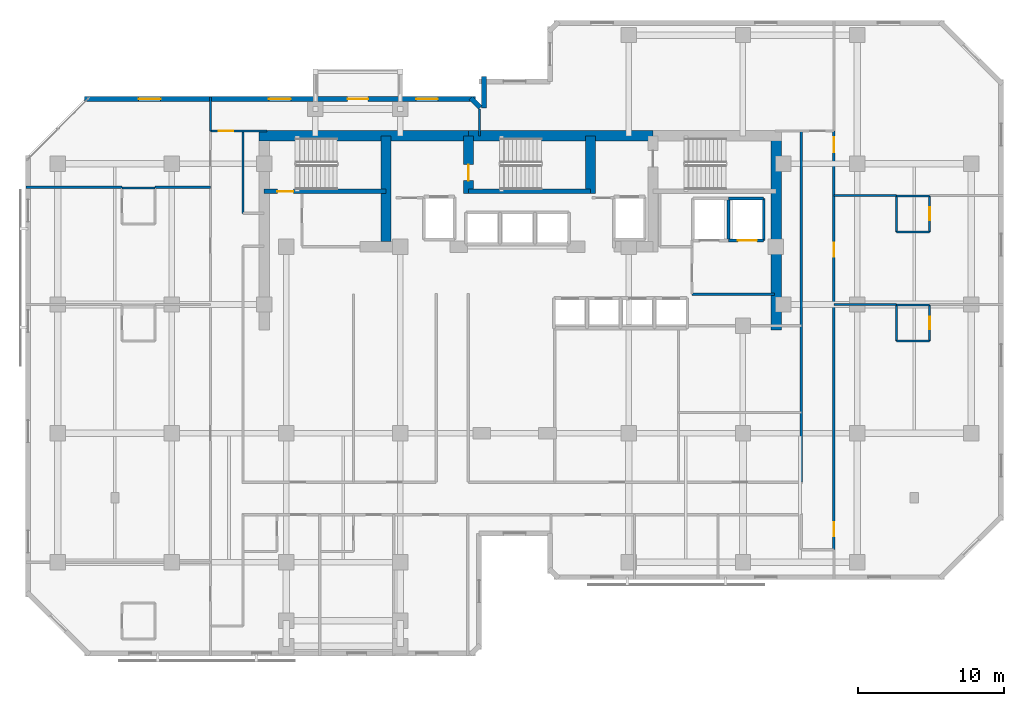
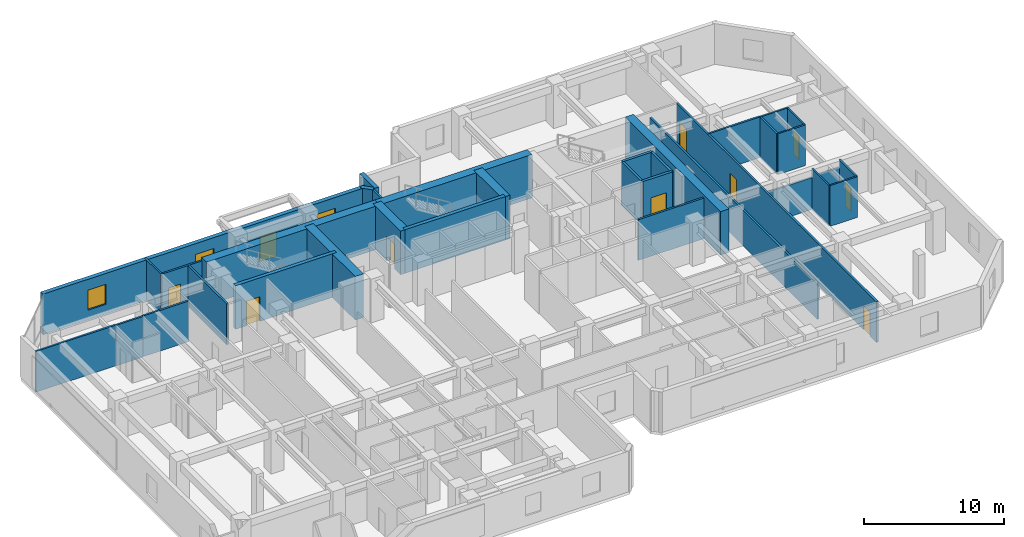
# One storey, part 7 of 10: 35 walls, 10 doors, 3 windows, 13 openings.
"""IFC4 building model written with IfcOpenShell, lengths in metres."""

from ifc_helpers import new_model, si_unit, direction, frame, frame_2d, origin, place, context, subcontext, project, spatial, rectangle, extrude, material, layer, layer_set, type_object, element, fill, save


model = new_model("IFC4")

# Units and contexts
model_context = context("Model", 3, precision=1e-05, world=origin(), true_north=direction((0.0, 1.0)))
body_context = subcontext(model_context, "Body", "Model", "MODEL_VIEW")
ifc_project = project(units=[si_unit("LENGTHUNIT", "METRE"), si_unit("AREAUNIT", "SQUARE_METRE"), si_unit("VOLUMEUNIT", "CUBIC_METRE"), si_unit("PLANEANGLEUNIT", "RADIAN"), si_unit("MASSUNIT", "GRAM", prefix="KILO")], contexts=[model_context])

# Site, building, storey
site_placement = place(None, origin())
site = spatial("IfcSite", under=ifc_project, at=site_placement, CompositionType="ELEMENT")
building_placement = place(site_placement, origin())
building = spatial("IfcBuilding", under=site, at=building_placement, Name="Kestravale Grand Hotel", CompositionType="ELEMENT")
storey_placement = place(building_placement, frame((0.0, 0.0, 142.199951171875)))
storey = spatial("IfcBuildingStorey", under=building, at=storey_placement, Name="L35", CompositionType="ELEMENT", Elevation=142.199951171875)

# Walls
ifc_material_1 = material(Name="Concrete f'c 60 MPa", Category="concrete")
ifc_layer_1 = layer(ifc_material_1, 0.699951171875)
ifc_layer_set_1 = layer_set([ifc_layer_1], Name="EW-CORE-700")
wall_type_1 = type_object("IfcWallType", Name="EW-CORE-700", PredefinedType="SHEAR", material=ifc_layer_set_1)
wall_1_placement = place(storey_placement, frame((21.550048828125, 40.320068359375, 0.0), z_axis=(0.0, 0.0, 1.0), x_axis=(1.0, 0.0, 0.0)))
element("IfcWall", 1, at=wall_1_placement, inside=storey, type_object=wall_type_1, Name="L35 core shear wall N1", PredefinedType="SHEAR", context=body_context, shape_type="SweptSolid", body=[
    extrude(rectangle(XDim=14.300048828125, YDim=0.699951171875, at=frame_2d((7.14990234375, 0.0))), origin(), (0.0, 0.0, 1.0), 3.800048828125),
])
wall_2_placement = place(storey_placement, frame((35.85009765625, 40.320068359375, 0.0), z_axis=(0.0, 0.0, 1.0), x_axis=(1.0, 0.0, 0.0)))
element("IfcWall", 2, at=wall_2_placement, inside=storey, type_object=wall_type_1, Name="L35 core shear wall N2", PredefinedType="SHEAR", context=body_context, shape_type="SweptSolid", body=[
    extrude(rectangle(XDim=12.599853515625, YDim=0.699951171875, at=frame_2d((6.2998046875, 0.0))), origin(), (0.0, 0.0, 1.0), 3.800048828125),
])
wall_3_placement = place(storey_placement, frame((56.8701171875, 27.050048828125, 0.0), z_axis=(0.0, 0.0, 1.0), x_axis=(0.0, 1.0, 0.0)))
element("IfcWall", 3, at=wall_3_placement, inside=storey, type_object=wall_type_1, Name="L35 core shear wall E1", PredefinedType="SHEAR", context=body_context, shape_type="SweptSolid", body=[
    extrude(rectangle(XDim=13.619873046875, YDim=0.699951171875, at=frame_2d((6.81005859375, 0.0))), origin(), (0.0, 0.0, 1.0), 3.800048828125),
])
wall_4_placement = place(storey_placement, frame((30.219970703125, 33.10009765625, 0.0), z_axis=(0.0, 0.0, 1.0), x_axis=(0.0, 1.0, 0.0)))
element("IfcWall", 4, at=wall_4_placement, inside=storey, type_object=wall_type_1, Name="L35 core shear wall X1", PredefinedType="SHEAR", context=body_context, shape_type="SweptSolid", body=[
    extrude(rectangle(XDim=7.219970703125, YDim=0.699951171875, at=frame_2d((3.60986328125, 0.0))), origin(), (0.0, 0.0, 1.0), 3.800048828125),
])

# Wall, opening, door
wall_5_placement = place(storey_placement, frame((35.85009765625, 36.3701171875, 0.0), z_axis=(0.0, 0.0, 1.0), x_axis=(0.0, 1.0, 0.0)))
wall_5 = element("IfcWall", 5, at=wall_5_placement, inside=storey, type_object=wall_type_1, Name="L35 core shear wall X2", PredefinedType="SHEAR", context=body_context, shape_type="SweptSolid", body=[
    extrude(rectangle(XDim=3.949951171875, YDim=0.699951171875, at=frame_2d((1.97509765625, 0.0))), origin(), (0.0, 0.0, 1.0), 3.800048828125),
])
opening_1_placement = place(wall_5_placement, frame((0.8798828125, 0.0, 0.0)))
opening_1 = element("IfcOpeningElement", 6, at=opening_1_placement, cuts=wall_5, Name="Opening D-ST-1100", PredefinedType="OPENING", context=body_context, shape_type="SweptSolid", body=[
    extrude(rectangle(XDim=1.10009765625, YDim=2.14990234375, at=frame_2d((0.550048828125, 1.074951171875))), frame((0.0, 0.35986328125, 0.0), z_axis=(0.0, -1.0, 0.0), x_axis=(1.0, 0.0, 0.0)), (0.0, 0.0, 1.0), 0.719970703125),
])
ifc_material_2 = material(Name="Galvanised 90-minute fire-rated steel stair door", Category="steel")
door_type_1 = type_object("IfcDoorType", Name="D-ST-1100", OperationType="NOTDEFINED", PredefinedType="DOOR", material=ifc_material_2)
door_1_placement = place(opening_1_placement, origin())
door_1 = element("IfcDoor", 7, at=door_1_placement, inside=storey, type_object=door_type_1, Name="L35 Stair ST-2 FSAE fire door", OperationType="SINGLE_SWING_RIGHT", OverallHeight=2.14990234375, OverallWidth=1.10009765625, PredefinedType="DOOR", context=body_context, shape_type="SweptSolid", body=[
    extrude(rectangle(XDim=1.10009765625, YDim=2.14990234375, at=frame_2d((0.550048828125, 1.074951171875))), frame((0.0, 0.02490234375, 0.0), z_axis=(0.0, -1.0, 0.0), x_axis=(1.0, 0.0, 0.0)), (0.0, 0.0, 1.0), 0.050048828125),
])
fill(opening_1, door_1)

# Walls
wall_6_placement = place(storey_placement, frame((44.179931640625, 36.3701171875, 0.0), z_axis=(0.0, 0.0, 1.0), x_axis=(0.0, 1.0, 0.0)))
element("IfcWall", 8, at=wall_6_placement, inside=storey, type_object=wall_type_1, Name="L35 core shear wall X3", PredefinedType="SHEAR", context=body_context, shape_type="SweptSolid", body=[
    extrude(rectangle(XDim=3.949951171875, YDim=0.699951171875, at=frame_2d((1.97509765625, 0.0))), origin(), (0.0, 0.0, 1.0), 3.800048828125),
])
ifc_material_3 = material(Name="Precast concrete f'c 45 MPa", Category="concrete")
ifc_layer_2 = layer(ifc_material_3, 0.340087890625)
ifc_layer_set_2 = layer_set([ifc_layer_2], Name="EW-PREC-340")
wall_type_2 = type_object("IfcWallType", Name="EW-PREC-340", PredefinedType="SOLIDWALL", material=ifc_layer_set_2)
wall_7_placement = place(storey_placement, frame((36.919921875, 44.3701171875, 0.0), z_axis=(0.0, 0.0, 1.0), x_axis=(0.0, -1.0, 0.0)))
element("IfcWall", 9, at=wall_7_placement, inside=storey, type_object=wall_type_2, Name="L35 fluted precast facade wall 15", PredefinedType="SOLIDWALL", context=body_context, shape_type="SweptSolid", body=[
    extrude(rectangle(XDim=2.14013671875, YDim=0.340087890625, at=frame_2d((1.070068359375, 0.0))), origin(), (0.0, 0.0, 1.0), 3.550048828125),
])
wall_8_placement = place(storey_placement, frame((36.658203125, 42.25146484375, 0.0), z_axis=(0.0, 0.0, 1.0), x_axis=(-0.707106781187, 0.707106781187, 0.0)))
element("IfcWall", 10, at=wall_8_placement, inside=storey, type_object=wall_type_2, Name="L35 fluted precast facade wall 16", PredefinedType="SOLIDWALL", context=body_context, shape_type="SweptSolid", body=[
    extrude(rectangle(XDim=0.9287109375, YDim=0.340087890625, at=frame_2d((0.46435546875, 0.0))), origin(), (0.0, 0.0, 1.0), 3.550048828125),
])

# Wall, openings, door, windows
wall_9_placement = place(storey_placement, frame((36.320068359375, 42.830078125, 0.0), z_axis=(0.0, 0.0, 1.0), x_axis=(-1.0, 0.0, 0.0)))
wall_9 = element("IfcWall", 11, at=wall_9_placement, inside=storey, type_object=wall_type_2, Name="L35 fluted precast facade wall 17", PredefinedType="SOLIDWALL", context=body_context, shape_type="SweptSolid", body=[
    extrude(rectangle(XDim=26.690185546875, YDim=0.340087890625, at=frame_2d((13.34521484375, 0.0))), origin(), (0.0, 0.0, 1.0), 3.550048828125),
])
opening_2_placement = place(wall_9_placement, frame((7.320068359375, 0.0, 0.0)))
opening_2 = element("IfcOpeningElement", 12, at=opening_2_placement, cuts=wall_9, Name="Opening D-TERR-1400", PredefinedType="OPENING", context=body_context, shape_type="SweptSolid", body=[
    extrude(rectangle(XDim=1.39990234375, YDim=2.14990234375, at=frame_2d((0.699951171875, 1.074951171875))), frame((0.0, 0.179931640625, 0.0), z_axis=(0.0, -1.0, 0.0), x_axis=(1.0, 0.0, 0.0)), (0.0, 0.0, 1.0), 0.360107421875),
])
opening_3_placement = place(wall_9_placement, frame((2.54833984375, 0.0, 0.85009765625)))
opening_3 = element("IfcOpeningElement", 13, at=opening_3_placement, cuts=wall_9, Name="Opening W-GUEST-1500", PredefinedType="OPENING", context=body_context, shape_type="SweptSolid", body=[
    extrude(rectangle(XDim=1.5, YDim=1.75, at=frame_2d((0.75, 0.875))), frame((0.0, 0.179931640625, 0.0), z_axis=(0.0, -1.0, 0.0), x_axis=(1.0, 0.0, 0.0)), (0.0, 0.0, 1.0), 0.360107421875),
])
opening_4_placement = place(wall_9_placement, frame((12.594970703125, 0.0, 0.85009765625)))
opening_4 = element("IfcOpeningElement", 14, at=opening_4_placement, cuts=wall_9, Name="Opening W-GUEST-1500", PredefinedType="OPENING", context=body_context, shape_type="SweptSolid", body=[
    extrude(rectangle(XDim=1.5, YDim=1.75, at=frame_2d((0.75, 0.875))), frame((0.0, 0.179931640625, 0.0), z_axis=(0.0, -1.0, 0.0), x_axis=(1.0, 0.0, 0.0)), (0.0, 0.0, 1.0), 0.360107421875),
])
opening_5_placement = place(wall_9_placement, frame((21.49169921875, 0.0, 0.85009765625)))
opening_5 = element("IfcOpeningElement", 15, at=opening_5_placement, cuts=wall_9, Name="Opening W-GUEST-1500", PredefinedType="OPENING", context=body_context, shape_type="SweptSolid", body=[
    extrude(rectangle(XDim=1.5, YDim=1.75, at=frame_2d((0.75, 0.875))), frame((0.0, 0.179931640625, 0.0), z_axis=(0.0, -1.0, 0.0), x_axis=(1.0, 0.0, 0.0)), (0.0, 0.0, 1.0), 0.360107421875),
])
ifc_material_4 = material(Name="Insulated glazed champagne-bronze aluminium door", Category="aluminium")
door_type_2 = type_object("IfcDoorType", Name="D-TERR-1400", OperationType="NOTDEFINED", PredefinedType="DOOR", material=ifc_material_4)
door_2_placement = place(opening_2_placement, origin())
door_2 = element("IfcDoor", 16, at=door_2_placement, inside=storey, type_object=door_type_2, Name="L35 outdoor garden terrace door", OperationType="DOUBLE_DOOR_SINGLE_SWING", OverallHeight=2.14990234375, OverallWidth=1.39990234375, PredefinedType="DOOR", context=body_context, shape_type="SweptSolid", body=[
    extrude(rectangle(XDim=1.39990234375, YDim=2.14990234375, at=frame_2d((0.699951171875, 1.074951171875))), frame((0.0, 0.02490234375, 0.0), z_axis=(0.0, -1.0, 0.0), x_axis=(1.0, 0.0, 0.0)), (0.0, 0.0, 1.0), 0.050048828125),
])
fill(opening_2, door_2)
ifc_material_5 = material(Name="Insulated low-E double glazing in aluminium frame", Category="aluminium")
window_type = type_object("IfcWindowType", Name="W-GUEST-1500", PartitioningType="SINGLE_PANEL", PredefinedType="WINDOW", material=ifc_material_5)
window_1_placement = place(opening_3_placement, origin())
window_1 = element("IfcWindow", 17, at=window_1_placement, inside=storey, type_object=window_type, Name="L35 exterior window 17.1", OverallHeight=1.75, OverallWidth=1.5, PartitioningType="SINGLE_PANEL", PredefinedType="WINDOW", context=body_context, shape_type="SweptSolid", body=[
    extrude(rectangle(XDim=1.5, YDim=1.75, at=frame_2d((0.75, 0.875))), frame((0.0, 0.030029296875, 0.0), z_axis=(0.0, -1.0, 0.0), x_axis=(1.0, 0.0, 0.0)), (0.0, 0.0, 1.0), 0.06005859375),
])
fill(opening_3, window_1)
window_2_placement = place(opening_4_placement, origin())
window_2 = element("IfcWindow", 18, at=window_2_placement, inside=storey, type_object=window_type, Name="L35 exterior window 17.2", OverallHeight=1.75, OverallWidth=1.5, PartitioningType="SINGLE_PANEL", PredefinedType="WINDOW", context=body_context, shape_type="SweptSolid", body=[
    extrude(rectangle(XDim=1.5, YDim=1.75, at=frame_2d((0.75, 0.875))), frame((0.0, 0.030029296875, 0.0), z_axis=(0.0, -1.0, 0.0), x_axis=(1.0, 0.0, 0.0)), (0.0, 0.0, 1.0), 0.06005859375),
])
fill(opening_4, window_2)
window_3_placement = place(opening_5_placement, origin())
window_3 = element("IfcWindow", 19, at=window_3_placement, inside=storey, type_object=window_type, Name="L35 exterior window 17.3", OverallHeight=1.75, OverallWidth=1.5, PartitioningType="SINGLE_PANEL", PredefinedType="WINDOW", context=body_context, shape_type="SweptSolid", body=[
    extrude(rectangle(XDim=1.5, YDim=1.75, at=frame_2d((0.75, 0.875))), frame((0.0, 0.030029296875, 0.0), z_axis=(0.0, -1.0, 0.0), x_axis=(1.0, 0.0, 0.0)), (0.0, 0.0, 1.0), 0.06005859375),
])
fill(opening_5, window_3)

# Wall, opening, door
ifc_material_6 = material(Name="Concrete f'c 45 MPa", Category="concrete")
ifc_layer_3 = layer(ifc_material_6, 0.300048828125)
ifc_layer_set_3 = layer_set([ifc_layer_3], Name="EW-STAIR-300")
wall_type_3 = type_object("IfcWallType", Name="EW-STAIR-300", PredefinedType="SHEAR", material=ifc_layer_set_3)
wall_10_placement = place(storey_placement, frame((21.89990234375, 36.52001953125, 0.0), z_axis=(0.0, 0.0, 1.0), x_axis=(1.0, 0.0, 0.0)))
wall_10 = element("IfcWall", 20, at=wall_10_placement, inside=storey, type_object=wall_type_3, Name="L35 stair enclosure shear wall SST1", PredefinedType="SHEAR", context=body_context, shape_type="SweptSolid", body=[
    extrude(rectangle(XDim=8.320068359375, YDim=0.300048828125, at=frame_2d((4.16015625, 0.0))), origin(), (0.0, 0.0, 1.0), 3.800048828125),
])
opening_6_placement = place(wall_10_placement, frame((0.89990234375, 0.0, 0.0)))
opening_6 = element("IfcOpeningElement", 21, at=opening_6_placement, cuts=wall_10, Name="Opening D-ST-1100", PredefinedType="OPENING", context=body_context, shape_type="SweptSolid", body=[
    extrude(rectangle(XDim=1.10009765625, YDim=2.14990234375, at=frame_2d((0.550048828125, 1.074951171875))), frame((0.0, 0.159912109375, 0.0), z_axis=(0.0, -1.0, 0.0), x_axis=(1.0, 0.0, 0.0)), (0.0, 0.0, 1.0), 0.320068359375),
])
door_3_placement = place(opening_6_placement, origin())
door_3 = element("IfcDoor", 22, at=door_3_placement, inside=storey, type_object=door_type_1, Name="L35 Stair ST-1 fire door", OperationType="SINGLE_SWING_RIGHT", OverallHeight=2.14990234375, OverallWidth=1.10009765625, PredefinedType="DOOR", context=body_context, shape_type="SweptSolid", body=[
    extrude(rectangle(XDim=1.10009765625, YDim=2.14990234375, at=frame_2d((0.550048828125, 1.074951171875))), frame((0.0, 0.02490234375, 0.0), z_axis=(0.0, -1.0, 0.0), x_axis=(1.0, 0.0, 0.0)), (0.0, 0.0, 1.0), 0.050048828125),
])
fill(opening_6, door_3)

# Walls
wall_11_placement = place(storey_placement, frame((35.85009765625, 36.52001953125, 0.0), z_axis=(0.0, 0.0, 1.0), x_axis=(1.0, 0.0, 0.0)))
element("IfcWall", 23, at=wall_11_placement, inside=storey, type_object=wall_type_3, Name="L35 stair enclosure shear wall SST2", PredefinedType="SHEAR", context=body_context, shape_type="SweptSolid", body=[
    extrude(rectangle(XDim=8.329833984375, YDim=0.300048828125, at=frame_2d((4.1650390625, 0.0))), origin(), (0.0, 0.0, 1.0), 3.800048828125),
])
ifc_material_7 = material(Name="Acoustic fire-rated gypsum board partition", Category="other")
ifc_layer_4 = layer(ifc_material_7, 0.159912109375)
ifc_layer_set_4 = layer_set([ifc_layer_4], Name="IW-CORR-160")
wall_type_4 = type_object("IfcWallType", Name="IW-CORR-160", PredefinedType="PARTITIONING", material=ifc_layer_set_4)
for number, where, z_axis, x_axis, name in (
    (24, (51.1201171875, 29.5, 0.0), (0.0, 0.0, 1.0), (1.0, 0.0, 0.0), "L35 service lift lobby wall"),
    (25, (20.4599609375, 35.02001953125, 0.0), (0.0, 0.0, 1.0), (0.0, 1.0, 0.0), "W-L35-SW-EN"),
):
    element("IfcWall", number, at=place(storey_placement, frame(where, z_axis=z_axis, x_axis=x_axis)), inside=storey, type_object=wall_type_4, Name=name, PredefinedType="PARTITIONING", context=body_context, shape_type="SweptSolid", body=[
        extrude(rectangle(XDim=5.6298828125, YDim=0.159912109375, at=frame_2d((2.81494140625, 0.0))), origin(), (0.0, 0.0, 1.0), 3.550048828125),
    ])

# Wall, openings, doors
wall_12_placement = place(storey_placement, frame((60.81005859375, 12.050048828125, 0.0), z_axis=(0.0, 0.0, 1.0), x_axis=(0.0, 1.0, 0.0)))
wall_12 = element("IfcWall", 26, at=wall_12_placement, inside=storey, type_object=wall_type_4, Name="W-L35-SE-E", PredefinedType="PARTITIONING", context=body_context, shape_type="SweptSolid", body=[
    extrude(rectangle(XDim=28.599853515625, YDim=0.159912109375, at=frame_2d((14.2998046875, 0.0))), origin(), (0.0, 0.0, 1.0), 3.550048828125),
])
opening_7_placement = place(wall_12_placement, frame((0.925048828125, 0.0, 0.0)))
opening_7 = element("IfcOpeningElement", 27, at=opening_7_placement, cuts=wall_12, Name="Opening D-GUEST-950", PredefinedType="OPENING", context=body_context, shape_type="SweptSolid", body=[
    extrude(rectangle(XDim=0.949951171875, YDim=2.10009765625, at=frame_2d((0.47509765625, 1.050048828125))), frame((0.0, 0.08984375, 0.0), z_axis=(0.0, -1.0, 0.0), x_axis=(1.0, 0.0, 0.0)), (0.0, 0.0, 1.0), 0.179931640625),
])
opening_8_placement = place(wall_12_placement, frame((20.0, 0.0, 0.0)))
opening_8 = element("IfcOpeningElement", 28, at=opening_8_placement, cuts=wall_12, Name="Opening D-GUEST-950", PredefinedType="OPENING", context=body_context, shape_type="SweptSolid", body=[
    extrude(rectangle(XDim=0.949951171875, YDim=2.10009765625, at=frame_2d((0.47509765625, 1.050048828125))), frame((0.0, 0.08984375, 0.0), z_axis=(0.0, -1.0, 0.0), x_axis=(1.0, 0.0, 0.0)), (0.0, 0.0, 1.0), 0.179931640625),
])
opening_9_placement = place(wall_12_placement, frame((27.159912109375, 0.0, 0.0)))
opening_9 = element("IfcOpeningElement", 29, at=opening_9_placement, cuts=wall_12, Name="Opening D-GUEST-1000", PredefinedType="OPENING", context=body_context, shape_type="SweptSolid", body=[
    extrude(rectangle(XDim=1.0, YDim=2.14990234375, at=frame_2d((0.5, 1.074951171875))), frame((0.0, 0.08984375, 0.0), z_axis=(0.0, -1.0, 0.0), x_axis=(1.0, 0.0, 0.0)), (0.0, 0.0, 1.0), 0.179931640625),
])
ifc_material_8 = material(Name="Accessible walnut veneer hotel entrance fire door", Category="wood")
door_type_3 = type_object("IfcDoorType", Name="D-GUEST-1000", OperationType="NOTDEFINED", PredefinedType="DOOR", material=ifc_material_8)
door_4_placement = place(opening_9_placement, origin())
door_4 = element("IfcDoor", 30, at=door_4_placement, inside=storey, type_object=door_type_3, Name="D-L35-AMEW", OperationType="SINGLE_SWING_LEFT", OverallHeight=2.14990234375, OverallWidth=1.0, PredefinedType="DOOR", context=body_context, shape_type="SweptSolid", body=[
    extrude(rectangle(XDim=1.0, YDim=2.14990234375, at=frame_2d((0.5, 1.074951171875))), frame((0.0, 0.02490234375, 0.0), z_axis=(0.0, -1.0, 0.0), x_axis=(1.0, 0.0, 0.0)), (0.0, 0.0, 1.0), 0.050048828125),
])
fill(opening_9, door_4)
ifc_material_9 = material(Name="Walnut veneer hotel guestroom entrance fire door", Category="wood")
door_type_4 = type_object("IfcDoorType", Name="D-GUEST-950", OperationType="NOTDEFINED", PredefinedType="DOOR", material=ifc_material_9)
door_5_placement = place(opening_7_placement, origin())
door_5 = element("IfcDoor", 31, at=door_5_placement, inside=storey, type_object=door_type_4, Name="D-L35-U06-ENT", OperationType="SINGLE_SWING_RIGHT", OverallHeight=2.10009765625, OverallWidth=0.949951171875, PredefinedType="DOOR", context=body_context, shape_type="SweptSolid", body=[
    extrude(rectangle(XDim=0.949951171875, YDim=2.10009765625, at=frame_2d((0.47509765625, 1.050048828125))), frame((0.0, 0.02490234375, 0.0), z_axis=(0.0, -1.0, 0.0), x_axis=(1.0, 0.0, 0.0)), (0.0, 0.0, 1.0), 0.050048828125),
])
fill(opening_7, door_5)
door_6_placement = place(opening_8_placement, origin())
door_6 = element("IfcDoor", 32, at=door_6_placement, inside=storey, type_object=door_type_4, Name="D-L35-U07-ENT", OperationType="SINGLE_SWING_RIGHT", OverallHeight=2.10009765625, OverallWidth=0.949951171875, PredefinedType="DOOR", context=body_context, shape_type="SweptSolid", body=[
    extrude(rectangle(XDim=0.949951171875, YDim=2.10009765625, at=frame_2d((0.47509765625, 1.050048828125))), frame((0.0, 0.02490234375, 0.0), z_axis=(0.0, -1.0, 0.0), x_axis=(1.0, 0.0, 0.0)), (0.0, 0.0, 1.0), 0.050048828125),
])
fill(opening_8, door_6)

# Walls
wall_13_placement = place(storey_placement, frame((58.590087890625, 16.659912109375, 0.0), z_axis=(0.0, 0.0, 1.0), x_axis=(0.0, 1.0, 0.0)))
element("IfcWall", 33, at=wall_13_placement, inside=storey, type_object=wall_type_4, Name="W-L35-SE-WU", PredefinedType="PARTITIONING", context=body_context, shape_type="SweptSolid", body=[
    extrude(rectangle(XDim=23.989990234375, YDim=0.159912109375, at=frame_2d((11.9951171875, 0.0))), origin(), (0.0, 0.0, 1.0), 3.093017578125),
])
ifc_material_10 = material(Name="Moisture-resistant tile-backer plumbing chase wall", Category="other")
ifc_layer_5 = layer(ifc_material_10, 0.139892578125)
ifc_layer_set_5 = layer_set([ifc_layer_5], Name="IW-PLB-140")
wall_type_5 = type_object("IfcWallType", Name="IW-PLB-140", PredefinedType="PLUMBINGWALL", material=ifc_layer_set_5)
wall_14_placement = place(storey_placement, frame((12.199951171875, 36.760009765625, 0.0), z_axis=(0.0, 0.0, 1.0), x_axis=(1.0, 0.0, 0.0)))
element("IfcWall", 34, at=wall_14_placement, inside=storey, type_object=wall_type_5, Name="W-L35-U05-BN", PredefinedType="PLUMBINGWALL", context=body_context, shape_type="SweptSolid", body=[
    extrude(rectangle(XDim=2.25, YDim=0.139892578125, at=frame_2d((1.125, 0.0))), origin(), (0.0, 0.0, 1.0), 3.550048828125),
])
wall_15_placement = place(storey_placement, frame((65.10009765625, 26.31005859375, 0.0), z_axis=(0.0, 0.0, 1.0), x_axis=(0.0, 1.0, 0.0)))
element("IfcWall", 35, at=wall_15_placement, inside=storey, type_object=wall_type_5, Name="W-L35-U06-BW", PredefinedType="PLUMBINGWALL", context=body_context, shape_type="SweptSolid", body=[
    extrude(rectangle(XDim=2.449951171875, YDim=0.139892578125, at=frame_2d((1.22509765625, 0.0))), origin(), (0.0, 0.0, 1.0), 3.550048828125),
])

# Wall, opening, door
wall_16_placement = place(storey_placement, frame((67.35009765625, 26.31005859375, 0.0), z_axis=(0.0, 0.0, 1.0), x_axis=(0.0, 1.0, 0.0)))
wall_16 = element("IfcWall", 36, at=wall_16_placement, inside=storey, type_object=wall_type_5, Name="W-L35-U06-BE", PredefinedType="PLUMBINGWALL", context=body_context, shape_type="SweptSolid", body=[
    extrude(rectangle(XDim=2.449951171875, YDim=0.139892578125, at=frame_2d((1.22509765625, 0.0))), origin(), (0.0, 0.0, 1.0), 3.550048828125),
])
opening_10_placement = place(wall_16_placement, frame((0.784912109375, 0.0, 0.0)))
opening_10 = element("IfcOpeningElement", 37, at=opening_10_placement, cuts=wall_16, Name="Opening D-BATH-880", PredefinedType="OPENING", context=body_context, shape_type="SweptSolid", body=[
    extrude(rectangle(XDim=0.8798828125, YDim=2.050048828125, at=frame_2d((0.43994140625, 1.02490234375))), frame((0.0, 0.079833984375, 0.0), z_axis=(0.0, -1.0, 0.0), x_axis=(1.0, 0.0, 0.0)), (0.0, 0.0, 1.0), 0.159912109375),
])
ifc_material_11 = material(Name="Moisture-sealed walnut en-suite bathroom door", Category="wood")
door_type_5 = type_object("IfcDoorType", Name="D-BATH-880", OperationType="NOTDEFINED", PredefinedType="DOOR", material=ifc_material_11)
door_7_placement = place(opening_10_placement, origin())
door_7 = element("IfcDoor", 38, at=door_7_placement, inside=storey, type_object=door_type_5, Name="D-L35-U06-BATH", OperationType="SINGLE_SWING_LEFT", OverallHeight=2.050048828125, OverallWidth=0.8798828125, PredefinedType="DOOR", context=body_context, shape_type="SweptSolid", body=[
    extrude(rectangle(XDim=0.8798828125, YDim=2.050048828125, at=frame_2d((0.43994140625, 1.02490234375))), frame((0.0, 0.02490234375, 0.0), z_axis=(0.0, -1.0, 0.0), x_axis=(1.0, 0.0, 0.0)), (0.0, 0.0, 1.0), 0.050048828125),
])
fill(opening_10, door_7)

# Walls
wall_17_placement = place(storey_placement, frame((65.10009765625, 26.31005859375, 0.0), z_axis=(0.0, 0.0, 1.0), x_axis=(1.0, 0.0, 0.0)))
element("IfcWall", 39, at=wall_17_placement, inside=storey, type_object=wall_type_5, Name="W-L35-U06-BS", PredefinedType="PLUMBINGWALL", context=body_context, shape_type="SweptSolid", body=[
    extrude(rectangle(XDim=2.25, YDim=0.139892578125, at=frame_2d((1.125, 0.0))), origin(), (0.0, 0.0, 1.0), 3.550048828125),
])
wall_18_placement = place(storey_placement, frame((65.10009765625, 28.760009765625, 0.0), z_axis=(0.0, 0.0, 1.0), x_axis=(1.0, 0.0, 0.0)))
element("IfcWall", 40, at=wall_18_placement, inside=storey, type_object=wall_type_5, Name="W-L35-U06-BN", PredefinedType="PLUMBINGWALL", context=body_context, shape_type="SweptSolid", body=[
    extrude(rectangle(XDim=2.25, YDim=0.139892578125, at=frame_2d((1.125, 0.0))), origin(), (0.0, 0.0, 1.0), 2.900146484375),
])
wall_19_placement = place(storey_placement, frame((65.10009765625, 33.760009765625, 0.0), z_axis=(0.0, 0.0, 1.0), x_axis=(0.0, 1.0, 0.0)))
element("IfcWall", 41, at=wall_19_placement, inside=storey, type_object=wall_type_5, Name="W-L35-U07-BW", PredefinedType="PLUMBINGWALL", context=body_context, shape_type="SweptSolid", body=[
    extrude(rectangle(XDim=2.449951171875, YDim=0.139892578125, at=frame_2d((1.22509765625, 0.0))), origin(), (0.0, 0.0, 1.0), 3.550048828125),
])

# Wall, opening, door
wall_20_placement = place(storey_placement, frame((67.35009765625, 33.760009765625, 0.0), z_axis=(0.0, 0.0, 1.0), x_axis=(0.0, 1.0, 0.0)))
wall_20 = element("IfcWall", 42, at=wall_20_placement, inside=storey, type_object=wall_type_5, Name="W-L35-U07-BE", PredefinedType="PLUMBINGWALL", context=body_context, shape_type="SweptSolid", body=[
    extrude(rectangle(XDim=2.449951171875, YDim=0.139892578125, at=frame_2d((1.22509765625, 0.0))), origin(), (0.0, 0.0, 1.0), 3.550048828125),
])
opening_11_placement = place(wall_20_placement, frame((0.784912109375, 0.0, 0.0)))
opening_11 = element("IfcOpeningElement", 43, at=opening_11_placement, cuts=wall_20, Name="Opening D-BATH-880", PredefinedType="OPENING", context=body_context, shape_type="SweptSolid", body=[
    extrude(rectangle(XDim=0.8798828125, YDim=2.050048828125, at=frame_2d((0.43994140625, 1.02490234375))), frame((0.0, 0.079833984375, 0.0), z_axis=(0.0, -1.0, 0.0), x_axis=(1.0, 0.0, 0.0)), (0.0, 0.0, 1.0), 0.159912109375),
])
door_8_placement = place(opening_11_placement, origin())
door_8 = element("IfcDoor", 44, at=door_8_placement, inside=storey, type_object=door_type_5, Name="D-L35-U07-BATH", OperationType="SINGLE_SWING_LEFT", OverallHeight=2.050048828125, OverallWidth=0.8798828125, PredefinedType="DOOR", context=body_context, shape_type="SweptSolid", body=[
    extrude(rectangle(XDim=0.8798828125, YDim=2.050048828125, at=frame_2d((0.43994140625, 1.02490234375))), frame((0.0, 0.02490234375, 0.0), z_axis=(0.0, -1.0, 0.0), x_axis=(1.0, 0.0, 0.0)), (0.0, 0.0, 1.0), 0.050048828125),
])
fill(opening_11, door_8)

# Walls
for number, where, z_axis, x_axis, name in (
    (45, (65.10009765625, 33.760009765625, 0.0), (0.0, 0.0, 1.0), (1.0, 0.0, 0.0), "W-L35-U07-BS"),
    (46, (65.10009765625, 36.2099609375, 0.0), (0.0, 0.0, 1.0), (1.0, 0.0, 0.0), "W-L35-U07-BN"),
):
    element("IfcWall", number, at=place(storey_placement, frame(where, z_axis=z_axis, x_axis=x_axis)), inside=storey, type_object=wall_type_5, Name=name, PredefinedType="PLUMBINGWALL", context=body_context, shape_type="SweptSolid", body=[
        extrude(rectangle(XDim=2.25, YDim=0.139892578125, at=frame_2d((1.125, 0.0))), origin(), (0.0, 0.0, 1.0), 3.550048828125),
    ])
ifc_material_12 = material(Name="Concrete f'c 45 MPa", Category="concrete")
ifc_layer_6 = layer(ifc_material_12, 0.199951171875)
ifc_layer_set_6 = layer_set([ifc_layer_6], Name="IW-SHAFT-200")
wall_type_6 = type_object("IfcWallType", Name="IW-SHAFT-200", PredefinedType="SHEAR", material=ifc_layer_set_6)
for number, where, z_axis, x_axis, name in (
    (47, (53.60009765625, 33.169921875, 0.0), (0.0, 0.0, 1.0), (0.0, 1.0, 0.0), "L35 SL-2 west shaft wall"),
    (48, (56.02001953125, 33.169921875, 0.0), (0.0, 0.0, 1.0), (0.0, 1.0, 0.0), "L35 SL-2 east shaft wall"),
):
    element("IfcWall", number, at=place(storey_placement, frame(where, z_axis=z_axis, x_axis=x_axis)), inside=storey, type_object=wall_type_6, Name=name, PredefinedType="SHEAR", context=body_context, shape_type="SweptSolid", body=[
        extrude(rectangle(XDim=2.860107421875, YDim=0.199951171875, at=frame_2d((1.43017578125, 0.0))), origin(), (0.0, 0.0, 1.0), 3.800048828125),
    ])
ifc_material_13 = material(Name="Concrete f'c 45 MPa", Category="concrete")
ifc_layer_7 = layer(ifc_material_13, 0.219970703125)
ifc_layer_set_7 = layer_set([ifc_layer_7], Name="IW-SHAFT-220")
wall_type_7 = type_object("IfcWallType", Name="IW-SHAFT-220", PredefinedType="SHEAR", material=ifc_layer_set_7)
wall_21_placement = place(storey_placement, frame((53.60009765625, 36.030029296875, 0.0), z_axis=(0.0, 0.0, 1.0), x_axis=(1.0, 0.0, 0.0)))
element("IfcWall", 49, at=wall_21_placement, inside=storey, type_object=wall_type_7, Name="L35 SL-2 north shaft wall", PredefinedType="SHEAR", context=body_context, shape_type="SweptSolid", body=[
    extrude(rectangle(XDim=2.419921875, YDim=0.219970703125, at=frame_2d((1.2099609375, 0.0))), origin(), (0.0, 0.0, 1.0), 3.800048828125),
])

# Wall, opening, door
wall_22_placement = place(storey_placement, frame((53.60009765625, 33.169921875, 0.0), z_axis=(0.0, 0.0, 1.0), x_axis=(1.0, 0.0, 0.0)))
wall_22 = element("IfcWall", 50, at=wall_22_placement, inside=storey, type_object=wall_type_7, Name="L35 SL-2 south shaft wall", PredefinedType="SHEAR", context=body_context, shape_type="SweptSolid", body=[
    extrude(rectangle(XDim=2.419921875, YDim=0.219970703125, at=frame_2d((1.2099609375, 0.0))), origin(), (0.0, 0.0, 1.0), 3.800048828125),
])
opening_12_placement = place(wall_22_placement, frame((0.64990234375, 0.0, 0.0)))
opening_12 = element("IfcOpeningElement", 51, at=opening_12_placement, cuts=wall_22, Name="Opening LD-SVC-1300", PredefinedType="OPENING", context=body_context, shape_type="SweptSolid", body=[
    extrude(rectangle(XDim=1.300048828125, YDim=2.14990234375, at=frame_2d((0.64990234375, 1.074951171875))), frame((0.0, 0.119873046875, 0.0), z_axis=(0.0, -1.0, 0.0), x_axis=(1.0, 0.0, 0.0)), (0.0, 0.0, 1.0), 0.239990234375),
])
ifc_material_14 = material(Name="Heavy-duty service sliding elevator landing door", Category="steel")
door_type_6 = type_object("IfcDoorType", Name="LD-SVC-1300", OperationType="NOTDEFINED", PredefinedType="DOOR", material=ifc_material_14)
door_9_placement = place(opening_12_placement, origin())
door_9 = element("IfcDoor", 52, at=door_9_placement, inside=storey, type_object=door_type_6, Name="L35 SL-2 elevator landing sliding door", OperationType="DOUBLE_DOOR_SLIDING", OverallHeight=2.14990234375, OverallWidth=1.300048828125, PredefinedType="DOOR", context=body_context, shape_type="SweptSolid", body=[
    extrude(rectangle(XDim=1.300048828125, YDim=2.14990234375, at=frame_2d((0.64990234375, 1.074951171875))), frame((0.0, 0.02490234375, 0.0), z_axis=(0.0, -1.0, 0.0), x_axis=(1.0, 0.0, 0.0)), (0.0, 0.0, 1.0), 0.050048828125),
])
fill(opening_12, door_9)

ifc_material_15 = material(Name="Double-stud STC 52 acoustic demising partition", Category="other")
ifc_layer_8 = layer(ifc_material_15, 0.14990234375)
ifc_layer_set_8 = layer_set([ifc_layer_8], Name="IW-UNIT-150")
wall_type_8 = type_object("IfcWallType", Name="IW-UNIT-150", PredefinedType="PARTITIONING", material=ifc_layer_set_8)
wall_23_placement = place(storey_placement, frame((18.239990234375, 40.64990234375, 0.0), z_axis=(0.0, 0.0, 1.0), x_axis=(1.0, 0.0, 0.0)))
wall_23 = element("IfcWall", 53, at=wall_23_placement, inside=storey, type_object=wall_type_8, Name="W-L35-SW-N", PredefinedType="PARTITIONING", context=body_context, shape_type="SweptSolid", body=[
    extrude(rectangle(XDim=3.860107421875, YDim=0.14990234375, at=frame_2d((1.93017578125, 0.0))), origin(), (0.0, 0.0, 1.0), 3.550048828125),
])
opening_13_placement = place(wall_23_placement, frame((0.550048828125, 0.0, 0.0)))
opening_13 = element("IfcOpeningElement", 54, at=opening_13_placement, cuts=wall_23, Name="Opening D-GUEST-1000", PredefinedType="OPENING", context=body_context, shape_type="SweptSolid", body=[
    extrude(rectangle(XDim=1.0, YDim=2.14990234375, at=frame_2d((0.5, 1.074951171875))), frame((0.0, 0.0849609375, 0.0), z_axis=(0.0, -1.0, 0.0), x_axis=(1.0, 0.0, 0.0)), (0.0, 0.0, 1.0), 0.169921875),
])
door_10_placement = place(opening_13_placement, origin())
door_10 = element("IfcDoor", 55, at=door_10_placement, inside=storey, type_object=door_type_3, Name="L35 NW Gallery Door", OperationType="SINGLE_SWING_RIGHT", OverallHeight=2.14990234375, OverallWidth=1.0, PredefinedType="DOOR", context=body_context, shape_type="SweptSolid", body=[
    extrude(rectangle(XDim=1.0, YDim=2.14990234375, at=frame_2d((0.5, 1.074951171875))), frame((0.0, 0.02490234375, 0.0), z_axis=(0.0, -1.0, 0.0), x_axis=(1.0, 0.0, 0.0)), (0.0, 0.0, 1.0), 0.050048828125),
])
fill(opening_13, door_10)

# Walls
wall_24_placement = place(storey_placement, frame((18.239990234375, 40.64990234375, 0.0), z_axis=(0.0, 0.0, 1.0), x_axis=(0.0, 1.0, 0.0)))
element("IfcWall", 56, at=wall_24_placement, inside=storey, type_object=wall_type_8, Name="W-L35-NGW-W", PredefinedType="PARTITIONING", context=body_context, shape_type="SweptSolid", body=[
    extrude(rectangle(XDim=2.330078125, YDim=0.14990234375, at=frame_2d((1.1650390625, 0.0))), origin(), (0.0, 0.0, 1.0), 3.550048828125),
])
wall_25_placement = place(storey_placement, frame((36.60009765625, 40.320068359375, 0.0), z_axis=(0.0, 0.0, 1.0), x_axis=(0.0, 1.0, 0.0)))
element("IfcWall", 57, at=wall_25_placement, inside=storey, type_object=wall_type_8, Name="W-L35-NGM", PredefinedType="PARTITIONING", context=body_context, shape_type="SweptSolid", body=[
    extrude(rectangle(XDim=1.844970703125, YDim=0.14990234375, at=frame_2d((0.92236328125, 0.0))), origin(), (0.0, 0.0, 1.0), 3.550048828125),
])
wall_26_placement = place(storey_placement, frame((5.6201171875, 36.800048828125, 0.0), z_axis=(0.0, 0.0, 1.0), x_axis=(1.0, 0.0, 0.0)))
element("IfcWall", 58, at=wall_26_placement, inside=storey, type_object=wall_type_8, Name="W-L35-WW-3", PredefinedType="PARTITIONING", context=body_context, shape_type="SweptSolid", body=[
    extrude(rectangle(XDim=6.579833984375, YDim=0.14990234375, at=frame_2d((3.2900390625, 0.0))), origin(), (0.0, 0.0, 1.0), 3.550048828125),
])
wall_27_placement = place(storey_placement, frame((14.449951171875, 36.800048828125, 0.0), z_axis=(0.0, 0.0, 1.0), x_axis=(1.0, 0.0, 0.0)))
element("IfcWall", 59, at=wall_27_placement, inside=storey, type_object=wall_type_8, Name="W-L35-WW-3", PredefinedType="PARTITIONING", context=body_context, shape_type="SweptSolid", body=[
    extrude(rectangle(XDim=3.7900390625, YDim=0.14990234375, at=frame_2d((1.89501953125, 0.0))), origin(), (0.0, 0.0, 1.0), 3.550048828125),
])
wall_28_placement = place(storey_placement, frame((60.81005859375, 28.800048828125, 0.0), z_axis=(0.0, 0.0, 1.0), x_axis=(1.0, 0.0, 0.0)))
element("IfcWall", 60, at=wall_28_placement, inside=storey, type_object=wall_type_8, Name="W-L35-EW-1", PredefinedType="PARTITIONING", context=body_context, shape_type="SweptSolid", body=[
    extrude(rectangle(XDim=4.2900390625, YDim=0.14990234375, at=frame_2d((2.14501953125, 0.0))), origin(), (0.0, 0.0, 1.0), 2.778076171875),
])
wall_29_placement = place(storey_placement, frame((60.81005859375, 36.25, 0.0), z_axis=(0.0, 0.0, 1.0), x_axis=(1.0, 0.0, 0.0)))
element("IfcWall", 61, at=wall_29_placement, inside=storey, type_object=wall_type_8, Name="W-L35-EW-2", PredefinedType="PARTITIONING", context=body_context, shape_type="SweptSolid", body=[
    extrude(rectangle(XDim=4.2900390625, YDim=0.14990234375, at=frame_2d((2.14501953125, 0.0))), origin(), (0.0, 0.0, 1.0), 3.550048828125),
])

save(model, "model.ifc")
